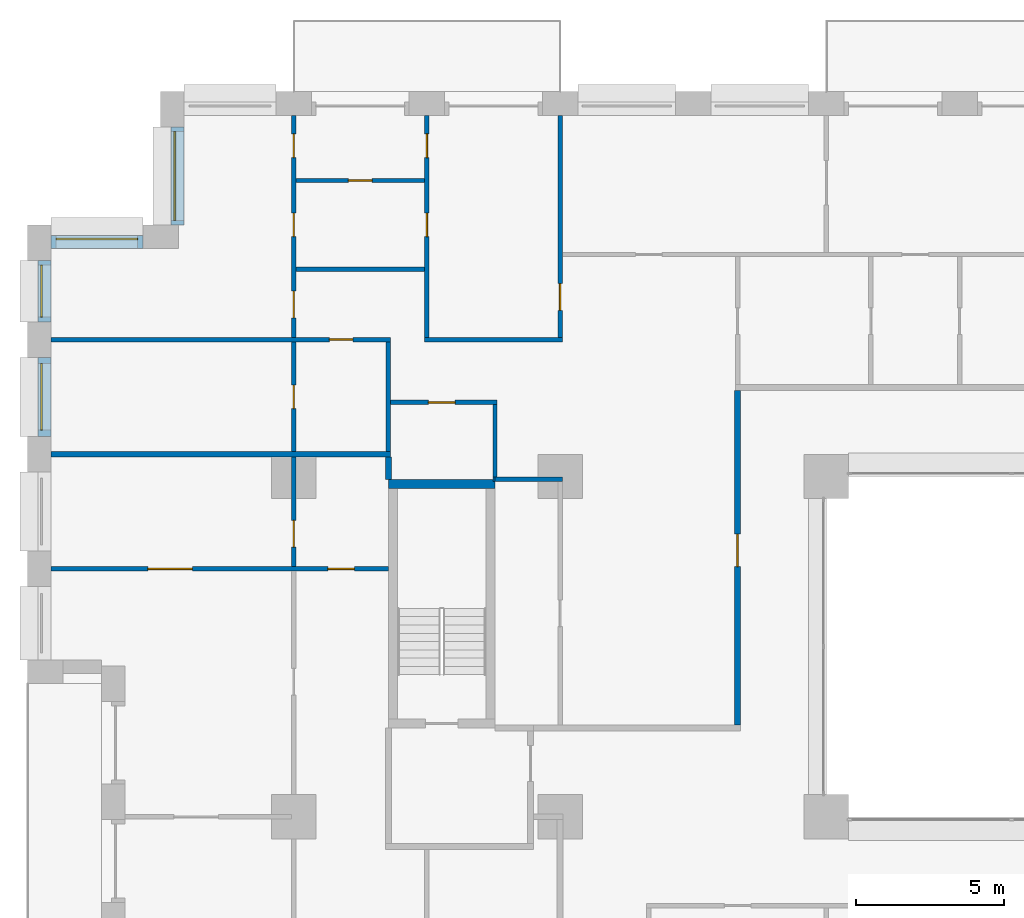
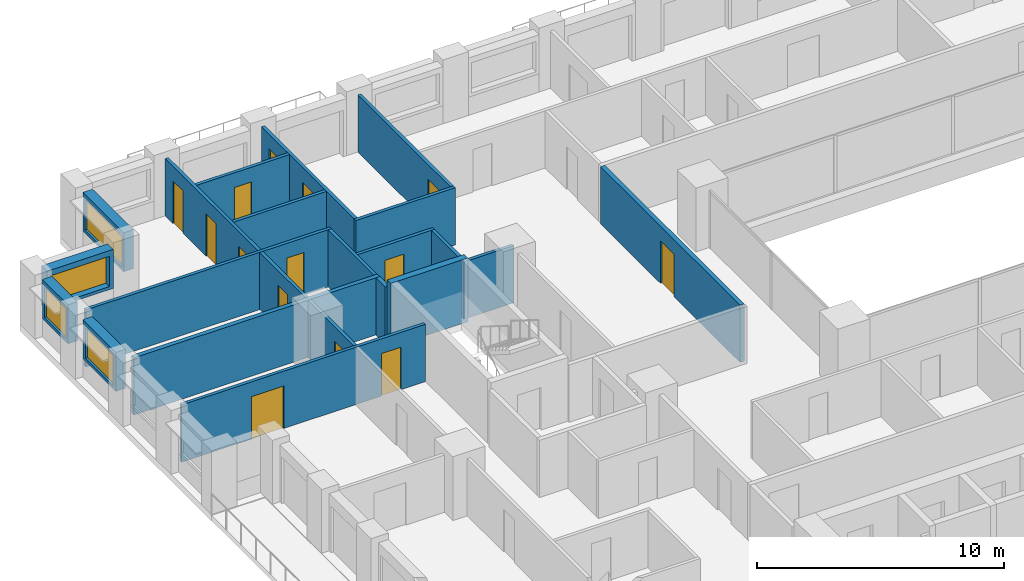
# One storey, part 13 of 20: 23 walls, 14 doors, 4 windows, 18 openings.
"""IFC4 building model written with IfcOpenShell, lengths in metres."""

from ifc_helpers import new_model, si_unit, direction, frame, frame_2d, origin, place, context, subcontext, project, spatial, rectangle, extrude, material, layer, layer_set, type_object, element, fill, save


model = new_model("IFC4")

# Units and contexts
model_context = context("Model", 3, precision=1e-05, world=origin(), true_north=direction((0.0, 1.0)))
body_context = subcontext(model_context, "Body", "Model", "MODEL_VIEW")
ifc_project = project(units=[si_unit("LENGTHUNIT", "METRE"), si_unit("AREAUNIT", "SQUARE_METRE"), si_unit("VOLUMEUNIT", "CUBIC_METRE"), si_unit("PLANEANGLEUNIT", "RADIAN"), si_unit("MASSUNIT", "GRAM", prefix="KILO")], contexts=[model_context])

# Site, building, storey
site_placement = place(None, origin())
site = spatial("IfcSite", under=ifc_project, at=site_placement, CompositionType="ELEMENT")
building_placement = place(site_placement, origin())
building = spatial("IfcBuilding", under=site, at=building_placement, Name="Brigalow Station Residences", CompositionType="ELEMENT")
storey_placement = place(building_placement, frame((0.0, 0.0, 60.449951171875)))
storey = spatial("IfcBuildingStorey", under=building, at=storey_placement, Name="L17", CompositionType="ELEMENT", Elevation=60.449951171875)

# Wall, opening, window
ifc_material_1 = material(Name="Clay brick masonry", Category="masonry")
ifc_layer_1 = layer(ifc_material_1, 0.449951171875)
ifc_layer_set_1 = layer_set([ifc_layer_1], Name="BRICK INFILL WALL 450")
wall_type_1 = type_object("IfcWallType", Name="BRICK INFILL WALL 450", PredefinedType="SOLIDWALL", material=ifc_layer_set_1)
wall_1_placement = place(storey_placement, frame((5.074951171875, 47.300048828125, 0.900146484375), z_axis=(0.0, 0.0, 1.0), x_axis=(0.0, -1.0, 0.0)))
wall_1 = element("IfcWall", 1, at=wall_1_placement, inside=storey, type_object=wall_type_1, Name="L17/ewall/W-L17-40", PredefinedType="SOLIDWALL", context=body_context, shape_type="SweptSolid", body=[
    extrude(rectangle(XDim=3.300048828125, YDim=0.449951171875, at=frame_2d((1.64990234375, 0.0))), origin(), (0.0, 0.0, 1.0), 1.929931640625),
])
opening_1_placement = place(wall_1_placement, frame((0.14990234375, 0.0, 0.14990234375)))
opening_1 = element("IfcOpeningElement", 2, at=opening_1_placement, cuts=wall_1, Name="Opening WT-2", PredefinedType="OPENING", context=body_context, shape_type="SweptSolid", body=[
    extrude(rectangle(XDim=3.0, YDim=1.5, at=frame_2d((1.5, 0.75))), frame((0.0, 0.23486328125, 0.0), z_axis=(0.0, -1.0, 0.0), x_axis=(1.0, 0.0, 0.0)), (0.0, 0.0, 1.0), 0.469970703125),
])
ifc_material_2 = material(Name="Anodised aluminium frame with double glazing", Category="aluminium")
window_type_1 = type_object("IfcWindowType", Name="WINDOW 3000x1500", PartitioningType="SINGLE_PANEL", PredefinedType="WINDOW", material=ifc_material_2)
window_1_placement = place(opening_1_placement, origin())
window_1 = element("IfcWindow", 3, at=window_1_placement, inside=storey, type_object=window_type_1, Name="L17/window/W-L17-40", OverallHeight=1.5, OverallWidth=3.0, PartitioningType="SINGLE_PANEL", PredefinedType="WINDOW", context=body_context, shape_type="SweptSolid", body=[
    extrude(rectangle(XDim=3.0, YDim=1.5, at=frame_2d((1.5, 0.75))), frame((0.0, -0.06494140625, 0.0), z_axis=(0.0, -1.0, 0.0), x_axis=(1.0, 0.0, 0.0)), (0.0, 0.0, 1.0), 0.06005859375),
])
fill(opening_1, window_1)

wall_2_placement = place(storey_placement, frame((3.89990234375, 43.425048828125, 0.900146484375), z_axis=(0.0, 0.0, 1.0), x_axis=(-1.0, 0.0, 0.0)))
wall_2 = element("IfcWall", 4, at=wall_2_placement, inside=storey, type_object=wall_type_1, Name="L17/ewall/W-L17-41", PredefinedType="SOLIDWALL", context=body_context, shape_type="SweptSolid", body=[
    extrude(rectangle(XDim=3.099853515625, YDim=0.449951171875, at=frame_2d((1.5498046875, 0.0))), origin(), (0.0, 0.0, 1.0), 1.929931640625),
])
opening_2_placement = place(wall_2_placement, frame((0.175048828125, 0.0, 0.14990234375)))
opening_2 = element("IfcOpeningElement", 5, at=opening_2_placement, cuts=wall_2, Name="Opening WT-3", PredefinedType="OPENING", context=body_context, shape_type="SweptSolid", body=[
    extrude(rectangle(XDim=2.75, YDim=1.5, at=frame_2d((1.375, 0.75))), frame((0.0, 0.23486328125, 0.0), z_axis=(0.0, -1.0, 0.0), x_axis=(1.0, 0.0, 0.0)), (0.0, 0.0, 1.0), 0.469970703125),
])
ifc_material_3 = material(Name="Anodised aluminium frame with double glazing", Category="aluminium")
window_type_2 = type_object("IfcWindowType", Name="WINDOW 2750x1500", PartitioningType="SINGLE_PANEL", PredefinedType="WINDOW", material=ifc_material_3)
window_2_placement = place(opening_2_placement, origin())
window_2 = element("IfcWindow", 6, at=window_2_placement, inside=storey, type_object=window_type_2, Name="L17/window/W-L17-41", OverallHeight=1.5, OverallWidth=2.75, PartitioningType="SINGLE_PANEL", PredefinedType="WINDOW", context=body_context, shape_type="SweptSolid", body=[
    extrude(rectangle(XDim=2.75, YDim=1.5, at=frame_2d((1.375, 0.75))), frame((0.0, -0.06494140625, 0.0), z_axis=(0.0, -1.0, 0.0), x_axis=(1.0, 0.0, 0.0)), (0.0, 0.0, 1.0), 0.06005859375),
])
fill(opening_2, window_2)

wall_3_placement = place(storey_placement, frame((0.574951171875, 42.800048828125, 0.900146484375), z_axis=(0.0, 0.0, 1.0), x_axis=(0.0, -1.0, 0.0)))
wall_3 = element("IfcWall", 7, at=wall_3_placement, inside=storey, type_object=wall_type_1, Name="L17/ewall/W-L17-42", PredefinedType="SOLIDWALL", context=body_context, shape_type="SweptSolid", body=[
    extrude(rectangle(XDim=2.074951171875, YDim=0.449951171875, at=frame_2d((1.03759765625, 0.0))), origin(), (0.0, 0.0, 1.0), 1.929931640625),
])
opening_3_placement = place(wall_3_placement, frame((0.16259765625, 0.0, 0.14990234375)))
opening_3 = element("IfcOpeningElement", 8, at=opening_3_placement, cuts=wall_3, Name="Opening WT-4", PredefinedType="OPENING", context=body_context, shape_type="SweptSolid", body=[
    extrude(rectangle(XDim=1.75, YDim=1.5, at=frame_2d((0.875, 0.75))), frame((0.0, 0.23486328125, 0.0), z_axis=(0.0, -1.0, 0.0), x_axis=(1.0, 0.0, 0.0)), (0.0, 0.0, 1.0), 0.469970703125),
])
ifc_material_4 = material(Name="Anodised aluminium frame with double glazing", Category="aluminium")
window_type_3 = type_object("IfcWindowType", Name="WINDOW 1750x1500", PartitioningType="SINGLE_PANEL", PredefinedType="WINDOW", material=ifc_material_4)
window_3_placement = place(opening_3_placement, origin())
window_3 = element("IfcWindow", 9, at=window_3_placement, inside=storey, type_object=window_type_3, Name="L17/window/W-L17-42", OverallHeight=1.5, OverallWidth=1.75, PartitioningType="SINGLE_PANEL", PredefinedType="WINDOW", context=body_context, shape_type="SweptSolid", body=[
    extrude(rectangle(XDim=1.75, YDim=1.5, at=frame_2d((0.875, 0.75))), frame((0.0, -0.06494140625, 0.0), z_axis=(0.0, -1.0, 0.0), x_axis=(1.0, 0.0, 0.0)), (0.0, 0.0, 1.0), 0.06005859375),
])
fill(opening_3, window_3)

wall_4_placement = place(storey_placement, frame((0.574951171875, 39.52490234375, 0.900146484375), z_axis=(0.0, 0.0, 1.0), x_axis=(0.0, -1.0, 0.0)))
wall_4 = element("IfcWall", 10, at=wall_4_placement, inside=storey, type_object=wall_type_1, Name="L17/ewall/W-L17-43", PredefinedType="SOLIDWALL", context=body_context, shape_type="SweptSolid", body=[
    extrude(rectangle(XDim=2.6748046875, YDim=0.449951171875, at=frame_2d((1.33740234375, 0.0))), origin(), (0.0, 0.0, 1.0), 1.929931640625),
])
opening_4_placement = place(wall_4_placement, frame((0.21240234375, 0.0, 0.14990234375)))
opening_4 = element("IfcOpeningElement", 11, at=opening_4_placement, cuts=wall_4, Name="Opening WT-6", PredefinedType="OPENING", context=body_context, shape_type="SweptSolid", body=[
    extrude(rectangle(XDim=2.25, YDim=1.5, at=frame_2d((1.125, 0.75))), frame((0.0, 0.23486328125, 0.0), z_axis=(0.0, -1.0, 0.0), x_axis=(1.0, 0.0, 0.0)), (0.0, 0.0, 1.0), 0.469970703125),
])
ifc_material_5 = material(Name="Anodised aluminium frame with double glazing", Category="aluminium")
window_type_4 = type_object("IfcWindowType", Name="WINDOW 2250x1500", PartitioningType="SINGLE_PANEL", PredefinedType="WINDOW", material=ifc_material_5)
window_4_placement = place(opening_4_placement, origin())
window_4 = element("IfcWindow", 12, at=window_4_placement, inside=storey, type_object=window_type_4, Name="L17/window/W-L17-43", OverallHeight=1.5, OverallWidth=2.25, PartitioningType="SINGLE_PANEL", PredefinedType="WINDOW", context=body_context, shape_type="SweptSolid", body=[
    extrude(rectangle(XDim=2.25, YDim=1.5, at=frame_2d((1.125, 0.75))), frame((0.0, -0.06494140625, 0.0), z_axis=(0.0, -1.0, 0.0), x_axis=(1.0, 0.0, 0.0)), (0.0, 0.0, 1.0), 0.06005859375),
])
fill(opening_4, window_4)

# Wall
ifc_material_6 = material(Name="Concrete C80", Category="concrete")
ifc_layer_2 = layer(ifc_material_6, 0.300048828125)
ifc_layer_set_2 = layer_set([ifc_layer_2], Name="CORE SHEAR WALL 300 C80")
wall_type_2 = type_object("IfcWallType", Name="CORE SHEAR WALL 300 C80", PredefinedType="SHEAR", material=ifc_layer_set_2)
wall_5_placement = place(storey_placement, frame((12.199951171875, 35.25, 0.0), z_axis=(0.0, 0.0, 1.0), x_axis=(1.0, 0.0, 0.0)))
element("IfcWall", 13, at=wall_5_placement, inside=storey, type_object=wall_type_2, Name="CORE WALL ST-S1-N L17", PredefinedType="SHEAR", context=body_context, shape_type="SweptSolid", body=[
    extrude(rectangle(XDim=3.60009765625, YDim=0.300048828125, at=frame_2d((1.800048828125, 0.0))), origin(), (0.0, 0.0, 1.0), 3.150146484375),
])

# Wall, openings, doors
ifc_material_7 = material(Name="Plasterboard on steel stud partition", Category="steel")
ifc_layer_3 = layer(ifc_material_7, 0.14990234375)
ifc_layer_set_3 = layer_set([ifc_layer_3], Name="FLAT PARTITION 150")
wall_type_3 = type_object("IfcWallType", Name="FLAT PARTITION 150", PredefinedType="PARTITIONING", material=ifc_layer_set_3)
wall_6_placement = place(storey_placement, frame((0.800048828125, 32.375, 0.0), z_axis=(0.0, 0.0, 1.0), x_axis=(1.0, 0.0, 0.0)))
wall_6 = element("IfcWall", 14, at=wall_6_placement, inside=storey, type_object=wall_type_3, Name="PW-1F18", PredefinedType="PARTITIONING", context=body_context, shape_type="SweptSolid", body=[
    extrude(rectangle(XDim=11.39990234375, YDim=0.14990234375, at=frame_2d((5.699951171875, 0.0))), origin(), (0.0, 0.0, 1.0), 2.830078125),
])
opening_5_placement = place(wall_6_placement, frame((3.27490234375, 0.0, 0.0)))
opening_5 = element("IfcOpeningElement", 15, at=opening_5_placement, cuts=wall_6, Name="Opening D-1F06", PredefinedType="OPENING", context=body_context, shape_type="SweptSolid", body=[
    extrude(rectangle(XDim=1.5, YDim=2.10009765625, at=frame_2d((0.75, 1.050048828125))), frame((0.0, 0.0849609375, 0.0), z_axis=(0.0, -1.0, 0.0), x_axis=(1.0, 0.0, 0.0)), (0.0, 0.0, 1.0), 0.169921875),
])
opening_6_placement = place(wall_6_placement, frame((9.35009765625, 0.0, 0.0)))
opening_6 = element("IfcOpeningElement", 16, at=opening_6_placement, cuts=wall_6, Name="Opening D-1F12", PredefinedType="OPENING", context=body_context, shape_type="SweptSolid", body=[
    extrude(rectangle(XDim=0.89990234375, YDim=2.10009765625, at=frame_2d((0.449951171875, 1.050048828125))), frame((0.0, 0.0849609375, 0.0), z_axis=(0.0, -1.0, 0.0), x_axis=(1.0, 0.0, 0.0)), (0.0, 0.0, 1.0), 0.169921875),
])
ifc_material_8 = material(Name="Solid-core timber door leaf", Category="wood")
door_type_1 = type_object("IfcDoorType", Name="INTERNAL DOOR 900 x 2100", OperationType="SINGLE_SWING_LEFT", PredefinedType="DOOR", material=ifc_material_8)
door_1_placement = place(opening_6_placement, origin())
door_1 = element("IfcDoor", 17, at=door_1_placement, inside=storey, type_object=door_type_1, Name="D-1F12", OperationType="SINGLE_SWING_LEFT", OverallHeight=2.10009765625, OverallWidth=0.89990234375, PredefinedType="DOOR", context=body_context, shape_type="SweptSolid", body=[
    extrude(rectangle(XDim=0.89990234375, YDim=2.10009765625, at=frame_2d((0.449951171875, 1.050048828125))), frame((0.0, 0.02490234375, 0.0), z_axis=(0.0, -1.0, 0.0), x_axis=(1.0, 0.0, 0.0)), (0.0, 0.0, 1.0), 0.050048828125),
])
fill(opening_6, door_1)
ifc_material_9 = material(Name="Solid-core timber door leaf", Category="wood")
door_type_2 = type_object("IfcDoorType", Name="INTERNAL DOUBLE DOOR 1500 x 2100", OperationType="DOUBLE_DOOR_SINGLE_SWING", PredefinedType="DOOR", material=ifc_material_9)
door_2_placement = place(opening_5_placement, origin())
door_2 = element("IfcDoor", 18, at=door_2_placement, inside=storey, type_object=door_type_2, Name="D-1F06", OperationType="DOUBLE_DOOR_SINGLE_SWING", OverallHeight=2.10009765625, OverallWidth=1.5, PredefinedType="DOOR", context=body_context, shape_type="SweptSolid", body=[
    extrude(rectangle(XDim=1.5, YDim=2.10009765625, at=frame_2d((0.75, 1.050048828125))), frame((0.0, 0.02490234375, 0.0), z_axis=(0.0, -1.0, 0.0), x_axis=(1.0, 0.0, 0.0)), (0.0, 0.0, 1.0), 0.050048828125),
])
fill(opening_5, door_2)

# Walls
wall_7_placement = place(storey_placement, frame((15.72509765625, 35.39990234375, 0.0), z_axis=(0.0, 0.0, 1.0), x_axis=(1.0, 0.0, 0.0)))
element("IfcWall", 19, at=wall_7_placement, inside=storey, type_object=wall_type_3, Name="PW-1F24", PredefinedType="PARTITIONING", context=body_context, shape_type="SweptSolid", body=[
    extrude(rectangle(XDim=0.074951171875, YDim=0.14990234375, at=frame_2d((0.03759765625, 0.0))), origin(), (0.0, 0.0, 1.0), 2.830078125),
])
wall_8_placement = place(storey_placement, frame((15.800048828125, 35.39990234375, 0.0), z_axis=(0.0, 0.0, 1.0), x_axis=(1.0, 0.0, 0.0)))
element("IfcWall", 20, at=wall_8_placement, inside=storey, type_object=wall_type_3, Name="PW-1F25", PredefinedType="PARTITIONING", context=body_context, shape_type="SweptSolid", body=[
    extrude(rectangle(XDim=2.27490234375, YDim=0.14990234375, at=frame_2d((1.137451171875, 0.0))), origin(), (0.0, 0.0, 1.0), 2.830078125),
])

# Wall, opening, door
wall_9_placement = place(storey_placement, frame((0.800048828125, 40.125, 0.0), z_axis=(0.0, 0.0, 1.0), x_axis=(1.0, 0.0, 0.0)))
wall_9 = element("IfcWall", 21, at=wall_9_placement, inside=storey, type_object=wall_type_3, Name="PW-1F29", PredefinedType="PARTITIONING", context=body_context, shape_type="SweptSolid", body=[
    extrude(rectangle(XDim=11.474853515625, YDim=0.14990234375, at=frame_2d((5.7373046875, 0.0))), origin(), (0.0, 0.0, 1.0), 2.830078125),
])
opening_7_placement = place(wall_9_placement, frame((9.39990234375, 0.0, 0.0)))
opening_7 = element("IfcOpeningElement", 22, at=opening_7_placement, cuts=wall_9, Name="Opening D-1F33", PredefinedType="OPENING", context=body_context, shape_type="SweptSolid", body=[
    extrude(rectangle(XDim=0.800048828125, YDim=2.10009765625, at=frame_2d((0.39990234375, 1.050048828125))), frame((0.0, 0.0849609375, 0.0), z_axis=(0.0, -1.0, 0.0), x_axis=(1.0, 0.0, 0.0)), (0.0, 0.0, 1.0), 0.169921875),
])
ifc_material_10 = material(Name="Solid-core timber door leaf", Category="wood")
door_type_3 = type_object("IfcDoorType", Name="INTERNAL DOOR 800 x 2100", OperationType="SINGLE_SWING_LEFT", PredefinedType="DOOR", material=ifc_material_10)
door_3_placement = place(opening_7_placement, frame((0.800048828125, 0.0, 0.0), z_axis=(0.0, 0.0, 1.0), x_axis=(-1.0, 0.0, 0.0)))
door_3 = element("IfcDoor", 23, at=door_3_placement, inside=storey, type_object=door_type_3, Name="D-1F33", OperationType="SINGLE_SWING_RIGHT", OverallHeight=2.10009765625, OverallWidth=0.800048828125, PredefinedType="DOOR", context=body_context, shape_type="SweptSolid", body=[
    extrude(rectangle(XDim=0.800048828125, YDim=2.10009765625, at=frame_2d((0.39990234375, 1.050048828125))), frame((0.0, 0.02490234375, 0.0), z_axis=(0.0, -1.0, 0.0), x_axis=(1.0, 0.0, 0.0)), (0.0, 0.0, 1.0), 0.050048828125),
])
fill(opening_7, door_3)

# Wall
wall_10_placement = place(storey_placement, frame((13.425048828125, 40.125, 0.0), z_axis=(0.0, 0.0, 1.0), x_axis=(1.0, 0.0, 0.0)))
element("IfcWall", 24, at=wall_10_placement, inside=storey, type_object=wall_type_3, Name="PW-1F30", PredefinedType="PARTITIONING", context=body_context, shape_type="SweptSolid", body=[
    extrude(rectangle(XDim=4.64990234375, YDim=0.14990234375, at=frame_2d((2.324951171875, 0.0))), origin(), (0.0, 0.0, 1.0), 2.830078125),
])

# Wall, opening, door
wall_11_placement = place(storey_placement, frame((12.27490234375, 38.0, 0.0), z_axis=(0.0, 0.0, 1.0), x_axis=(1.0, 0.0, 0.0)))
wall_11 = element("IfcWall", 25, at=wall_11_placement, inside=storey, type_object=wall_type_3, Name="PW-1F32", PredefinedType="PARTITIONING", context=body_context, shape_type="SweptSolid", body=[
    extrude(rectangle(XDim=3.60009765625, YDim=0.14990234375, at=frame_2d((1.800048828125, 0.0))), origin(), (0.0, 0.0, 1.0), 2.830078125),
])
opening_8_placement = place(wall_11_placement, frame((1.27490234375, 0.0, 0.0)))
opening_8 = element("IfcOpeningElement", 26, at=opening_8_placement, cuts=wall_11, Name="Opening D-1F32", PredefinedType="OPENING", context=body_context, shape_type="SweptSolid", body=[
    extrude(rectangle(XDim=0.89990234375, YDim=2.10009765625, at=frame_2d((0.449951171875, 1.050048828125))), frame((0.0, 0.0849609375, 0.0), z_axis=(0.0, -1.0, 0.0), x_axis=(1.0, 0.0, 0.0)), (0.0, 0.0, 1.0), 0.169921875),
])
door_4_placement = place(opening_8_placement, frame((0.89990234375, 0.0, 0.0), z_axis=(0.0, 0.0, 1.0), x_axis=(-1.0, 0.0, 0.0)))
door_4 = element("IfcDoor", 27, at=door_4_placement, inside=storey, type_object=door_type_1, Name="D-1F32", OperationType="SINGLE_SWING_LEFT", OverallHeight=2.10009765625, OverallWidth=0.89990234375, PredefinedType="DOOR", context=body_context, shape_type="SweptSolid", body=[
    extrude(rectangle(XDim=0.89990234375, YDim=2.10009765625, at=frame_2d((0.449951171875, 1.050048828125))), frame((0.0, 0.02490234375, 0.0), z_axis=(0.0, -1.0, 0.0), x_axis=(1.0, 0.0, 0.0)), (0.0, 0.0, 1.0), 0.050048828125),
])
fill(opening_8, door_4)

# Wall
wall_12_placement = place(storey_placement, frame((9.074951171875, 42.5, 0.0), z_axis=(0.0, 0.0, 1.0), x_axis=(1.0, 0.0, 0.0)))
element("IfcWall", 28, at=wall_12_placement, inside=storey, type_object=wall_type_3, Name="PW-1F33", PredefinedType="PARTITIONING", context=body_context, shape_type="SweptSolid", body=[
    extrude(rectangle(XDim=4.35009765625, YDim=0.14990234375, at=frame_2d((2.175048828125, 0.0))), origin(), (0.0, 0.0, 1.0), 2.830078125),
])

# Wall, opening, door
wall_13_placement = place(storey_placement, frame((9.074951171875, 45.5, 0.0), z_axis=(0.0, 0.0, 1.0), x_axis=(1.0, 0.0, 0.0)))
wall_13 = element("IfcWall", 29, at=wall_13_placement, inside=storey, type_object=wall_type_3, Name="PW-1F34", PredefinedType="PARTITIONING", context=body_context, shape_type="SweptSolid", body=[
    extrude(rectangle(XDim=4.35009765625, YDim=0.14990234375, at=frame_2d((2.175048828125, 0.0))), origin(), (0.0, 0.0, 1.0), 2.830078125),
])
opening_9_placement = place(wall_13_placement, frame((1.77490234375, 0.0, 0.0)))
opening_9 = element("IfcOpeningElement", 30, at=opening_9_placement, cuts=wall_13, Name="Opening D-1F25", PredefinedType="OPENING", context=body_context, shape_type="SweptSolid", body=[
    extrude(rectangle(XDim=0.800048828125, YDim=2.10009765625, at=frame_2d((0.39990234375, 1.050048828125))), frame((0.0, 0.0849609375, 0.0), z_axis=(0.0, -1.0, 0.0), x_axis=(1.0, 0.0, 0.0)), (0.0, 0.0, 1.0), 0.169921875),
])
door_5_placement = place(opening_9_placement, origin())
door_5 = element("IfcDoor", 31, at=door_5_placement, inside=storey, type_object=door_type_3, Name="D-1F25", OperationType="SINGLE_SWING_RIGHT", OverallHeight=2.10009765625, OverallWidth=0.800048828125, PredefinedType="DOOR", context=body_context, shape_type="SweptSolid", body=[
    extrude(rectangle(XDim=0.800048828125, YDim=2.10009765625, at=frame_2d((0.39990234375, 1.050048828125))), frame((0.0, 0.02490234375, 0.0), z_axis=(0.0, -1.0, 0.0), x_axis=(1.0, 0.0, 0.0)), (0.0, 0.0, 1.0), 0.050048828125),
])
fill(opening_9, door_5)

wall_14_placement = place(storey_placement, frame((18.0, 40.199951171875, 0.0), z_axis=(0.0, 0.0, 1.0), x_axis=(0.0, 1.0, 0.0)))
wall_14 = element("IfcWall", 32, at=wall_14_placement, inside=storey, type_object=wall_type_3, Name="PW-1F39", PredefinedType="PARTITIONING", context=body_context, shape_type="SweptSolid", body=[
    extrude(rectangle(XDim=7.5, YDim=0.14990234375, at=frame_2d((3.75, 0.0))), origin(), (0.0, 0.0, 1.0), 2.830078125),
])
opening_10_placement = place(wall_14_placement, frame((0.912109375, 0.0, 0.0)))
opening_10 = element("IfcOpeningElement", 33, at=opening_10_placement, cuts=wall_14, Name="Opening D-1F20", PredefinedType="OPENING", context=body_context, shape_type="SweptSolid", body=[
    extrude(rectangle(XDim=0.89990234375, YDim=2.10009765625, at=frame_2d((0.449951171875, 1.050048828125))), frame((0.0, 0.0849609375, 0.0), z_axis=(0.0, -1.0, 0.0), x_axis=(1.0, 0.0, 0.0)), (0.0, 0.0, 1.0), 0.169921875),
])
door_6_placement = place(opening_10_placement, origin())
door_6 = element("IfcDoor", 34, at=door_6_placement, inside=storey, type_object=door_type_1, Name="D-1F20", OperationType="SINGLE_SWING_LEFT", OverallHeight=2.10009765625, OverallWidth=0.89990234375, PredefinedType="DOOR", context=body_context, shape_type="SweptSolid", body=[
    extrude(rectangle(XDim=0.89990234375, YDim=2.10009765625, at=frame_2d((0.449951171875, 1.050048828125))), frame((0.0, 0.02490234375, 0.0), z_axis=(0.0, -1.0, 0.0), x_axis=(1.0, 0.0, 0.0)), (0.0, 0.0, 1.0), 0.050048828125),
])
fill(opening_10, door_6)

wall_15_placement = place(storey_placement, frame((9.0, 32.449951171875, 0.0), z_axis=(0.0, 0.0, 1.0), x_axis=(0.0, 1.0, 0.0)))
wall_15 = element("IfcWall", 35, at=wall_15_placement, inside=storey, type_object=wall_type_3, Name="PW-1F52", PredefinedType="PARTITIONING", context=body_context, shape_type="SweptSolid", body=[
    extrude(rectangle(XDim=3.699951171875, YDim=0.14990234375, at=frame_2d((1.85009765625, 0.0))), origin(), (0.0, 0.0, 1.0), 2.830078125),
])
opening_11_placement = place(wall_15_placement, frame((0.662109375, 0.0, 0.0)))
opening_11 = element("IfcOpeningElement", 36, at=opening_11_placement, cuts=wall_15, Name="Opening D-1F11", PredefinedType="OPENING", context=body_context, shape_type="SweptSolid", body=[
    extrude(rectangle(XDim=0.89990234375, YDim=2.10009765625, at=frame_2d((0.449951171875, 1.050048828125))), frame((0.0, 0.0849609375, 0.0), z_axis=(0.0, -1.0, 0.0), x_axis=(1.0, 0.0, 0.0)), (0.0, 0.0, 1.0), 0.169921875),
])
door_7_placement = place(opening_11_placement, frame((0.89990234375, 0.0, 0.0), z_axis=(0.0, 0.0, 1.0), x_axis=(-1.0, 0.0, 0.0)))
door_7 = element("IfcDoor", 37, at=door_7_placement, inside=storey, type_object=door_type_1, Name="D-1F11", OperationType="SINGLE_SWING_RIGHT", OverallHeight=2.10009765625, OverallWidth=0.89990234375, PredefinedType="DOOR", context=body_context, shape_type="SweptSolid", body=[
    extrude(rectangle(XDim=0.89990234375, YDim=2.10009765625, at=frame_2d((0.449951171875, 1.050048828125))), frame((0.0, 0.02490234375, 0.0), z_axis=(0.0, -1.0, 0.0), x_axis=(1.0, 0.0, 0.0)), (0.0, 0.0, 1.0), 0.050048828125),
])
fill(opening_11, door_7)

wall_16_placement = place(storey_placement, frame((9.0, 36.35009765625, 0.0), z_axis=(0.0, 0.0, 1.0), x_axis=(0.0, 1.0, 0.0)))
wall_16 = element("IfcWall", 38, at=wall_16_placement, inside=storey, type_object=wall_type_3, Name="PW-1F53", PredefinedType="PARTITIONING", context=body_context, shape_type="SweptSolid", body=[
    extrude(rectangle(XDim=3.699951171875, YDim=0.14990234375, at=frame_2d((1.85009765625, 0.0))), origin(), (0.0, 0.0, 1.0), 2.830078125),
])
opening_12_placement = place(wall_16_placement, frame((1.43798828125, 0.0, 0.0)))
opening_12 = element("IfcOpeningElement", 39, at=opening_12_placement, cuts=wall_16, Name="Opening D-1F21", PredefinedType="OPENING", context=body_context, shape_type="SweptSolid", body=[
    extrude(rectangle(XDim=0.800048828125, YDim=2.10009765625, at=frame_2d((0.39990234375, 1.050048828125))), frame((0.0, 0.0849609375, 0.0), z_axis=(0.0, -1.0, 0.0), x_axis=(1.0, 0.0, 0.0)), (0.0, 0.0, 1.0), 0.169921875),
])
door_8_placement = place(opening_12_placement, frame((0.800048828125, 0.0, 0.0), z_axis=(0.0, 0.0, 1.0), x_axis=(-1.0, 0.0, 0.0)))
door_8 = element("IfcDoor", 40, at=door_8_placement, inside=storey, type_object=door_type_3, Name="D-1F21", OperationType="SINGLE_SWING_RIGHT", OverallHeight=2.10009765625, OverallWidth=0.800048828125, PredefinedType="DOOR", context=body_context, shape_type="SweptSolid", body=[
    extrude(rectangle(XDim=0.800048828125, YDim=2.10009765625, at=frame_2d((0.39990234375, 1.050048828125))), frame((0.0, 0.02490234375, 0.0), z_axis=(0.0, -1.0, 0.0), x_axis=(1.0, 0.0, 0.0)), (0.0, 0.0, 1.0), 0.050048828125),
])
fill(opening_12, door_8)

# Wall, openings, doors
wall_17_placement = place(storey_placement, frame((9.0, 40.199951171875, 0.0), z_axis=(0.0, 0.0, 1.0), x_axis=(0.0, 1.0, 0.0)))
wall_17 = element("IfcWall", 41, at=wall_17_placement, inside=storey, type_object=wall_type_3, Name="PW-1F54", PredefinedType="PARTITIONING", context=body_context, shape_type="SweptSolid", body=[
    extrude(rectangle(XDim=7.5, YDim=0.14990234375, at=frame_2d((3.75, 0.0))), origin(), (0.0, 0.0, 1.0), 2.830078125),
])
opening_13_placement = place(wall_17_placement, frame((6.074951171875, 0.0, 0.0)))
opening_13 = element("IfcOpeningElement", 42, at=opening_13_placement, cuts=wall_17, Name="Opening D-1F26", PredefinedType="OPENING", context=body_context, shape_type="SweptSolid", body=[
    extrude(rectangle(XDim=0.800048828125, YDim=2.10009765625, at=frame_2d((0.39990234375, 1.050048828125))), frame((0.0, 0.0849609375, 0.0), z_axis=(0.0, -1.0, 0.0), x_axis=(1.0, 0.0, 0.0)), (0.0, 0.0, 1.0), 0.169921875),
])
opening_14_placement = place(wall_17_placement, frame((3.39990234375, 0.0, 0.0)))
opening_14 = element("IfcOpeningElement", 43, at=opening_14_placement, cuts=wall_17, Name="Opening D-1F27", PredefinedType="OPENING", context=body_context, shape_type="SweptSolid", body=[
    extrude(rectangle(XDim=0.800048828125, YDim=2.10009765625, at=frame_2d((0.39990234375, 1.050048828125))), frame((0.0, 0.0849609375, 0.0), z_axis=(0.0, -1.0, 0.0), x_axis=(1.0, 0.0, 0.0)), (0.0, 0.0, 1.0), 0.169921875),
])
opening_15_placement = place(wall_17_placement, frame((0.662109375, 0.0, 0.0)))
opening_15 = element("IfcOpeningElement", 44, at=opening_15_placement, cuts=wall_17, Name="Opening D-1F31", PredefinedType="OPENING", context=body_context, shape_type="SweptSolid", body=[
    extrude(rectangle(XDim=0.89990234375, YDim=2.10009765625, at=frame_2d((0.449951171875, 1.050048828125))), frame((0.0, 0.0849609375, 0.0), z_axis=(0.0, -1.0, 0.0), x_axis=(1.0, 0.0, 0.0)), (0.0, 0.0, 1.0), 0.169921875),
])
door_9_placement = place(opening_13_placement, frame((0.800048828125, 0.0, 0.0), z_axis=(0.0, 0.0, 1.0), x_axis=(-1.0, 0.0, 0.0)))
door_9 = element("IfcDoor", 45, at=door_9_placement, inside=storey, type_object=door_type_3, Name="D-1F26", OperationType="SINGLE_SWING_LEFT", OverallHeight=2.10009765625, OverallWidth=0.800048828125, PredefinedType="DOOR", context=body_context, shape_type="SweptSolid", body=[
    extrude(rectangle(XDim=0.800048828125, YDim=2.10009765625, at=frame_2d((0.39990234375, 1.050048828125))), frame((0.0, 0.02490234375, 0.0), z_axis=(0.0, -1.0, 0.0), x_axis=(1.0, 0.0, 0.0)), (0.0, 0.0, 1.0), 0.050048828125),
])
fill(opening_13, door_9)
door_10_placement = place(opening_14_placement, frame((0.800048828125, 0.0, 0.0), z_axis=(0.0, 0.0, 1.0), x_axis=(-1.0, 0.0, 0.0)))
door_10 = element("IfcDoor", 46, at=door_10_placement, inside=storey, type_object=door_type_3, Name="D-1F27", OperationType="SINGLE_SWING_LEFT", OverallHeight=2.10009765625, OverallWidth=0.800048828125, PredefinedType="DOOR", context=body_context, shape_type="SweptSolid", body=[
    extrude(rectangle(XDim=0.800048828125, YDim=2.10009765625, at=frame_2d((0.39990234375, 1.050048828125))), frame((0.0, 0.02490234375, 0.0), z_axis=(0.0, -1.0, 0.0), x_axis=(1.0, 0.0, 0.0)), (0.0, 0.0, 1.0), 0.050048828125),
])
fill(opening_14, door_10)
door_11_placement = place(opening_15_placement, origin())
door_11 = element("IfcDoor", 47, at=door_11_placement, inside=storey, type_object=door_type_1, Name="D-1F31", OperationType="SINGLE_SWING_LEFT", OverallHeight=2.10009765625, OverallWidth=0.89990234375, PredefinedType="DOOR", context=body_context, shape_type="SweptSolid", body=[
    extrude(rectangle(XDim=0.89990234375, YDim=2.10009765625, at=frame_2d((0.449951171875, 1.050048828125))), frame((0.0, 0.02490234375, 0.0), z_axis=(0.0, -1.0, 0.0), x_axis=(1.0, 0.0, 0.0)), (0.0, 0.0, 1.0), 0.050048828125),
])
fill(opening_15, door_11)

wall_18_placement = place(storey_placement, frame((13.5, 40.199951171875, 0.0), z_axis=(0.0, 0.0, 1.0), x_axis=(0.0, 1.0, 0.0)))
wall_18 = element("IfcWall", 48, at=wall_18_placement, inside=storey, type_object=wall_type_3, Name="PW-1F58", PredefinedType="PARTITIONING", context=body_context, shape_type="SweptSolid", body=[
    extrude(rectangle(XDim=7.5, YDim=0.14990234375, at=frame_2d((3.75, 0.0))), origin(), (0.0, 0.0, 1.0), 2.830078125),
])
opening_16_placement = place(wall_18_placement, frame((6.074951171875, 0.0, 0.0)))
opening_16 = element("IfcOpeningElement", 49, at=opening_16_placement, cuts=wall_18, Name="Opening D-1F18", PredefinedType="OPENING", context=body_context, shape_type="SweptSolid", body=[
    extrude(rectangle(XDim=0.800048828125, YDim=2.10009765625, at=frame_2d((0.39990234375, 1.050048828125))), frame((0.0, 0.0849609375, 0.0), z_axis=(0.0, -1.0, 0.0), x_axis=(1.0, 0.0, 0.0)), (0.0, 0.0, 1.0), 0.169921875),
])
opening_17_placement = place(wall_18_placement, frame((3.39990234375, 0.0, 0.0)))
opening_17 = element("IfcOpeningElement", 50, at=opening_17_placement, cuts=wall_18, Name="Opening D-1F19", PredefinedType="OPENING", context=body_context, shape_type="SweptSolid", body=[
    extrude(rectangle(XDim=0.800048828125, YDim=2.10009765625, at=frame_2d((0.39990234375, 1.050048828125))), frame((0.0, 0.0849609375, 0.0), z_axis=(0.0, -1.0, 0.0), x_axis=(1.0, 0.0, 0.0)), (0.0, 0.0, 1.0), 0.169921875),
])
door_12_placement = place(opening_16_placement, origin())
door_12 = element("IfcDoor", 51, at=door_12_placement, inside=storey, type_object=door_type_3, Name="D-1F18", OperationType="SINGLE_SWING_RIGHT", OverallHeight=2.10009765625, OverallWidth=0.800048828125, PredefinedType="DOOR", context=body_context, shape_type="SweptSolid", body=[
    extrude(rectangle(XDim=0.800048828125, YDim=2.10009765625, at=frame_2d((0.39990234375, 1.050048828125))), frame((0.0, 0.02490234375, 0.0), z_axis=(0.0, -1.0, 0.0), x_axis=(1.0, 0.0, 0.0)), (0.0, 0.0, 1.0), 0.050048828125),
])
fill(opening_16, door_12)
door_13_placement = place(opening_17_placement, origin())
door_13 = element("IfcDoor", 52, at=door_13_placement, inside=storey, type_object=door_type_3, Name="D-1F19", OperationType="SINGLE_SWING_RIGHT", OverallHeight=2.10009765625, OverallWidth=0.800048828125, PredefinedType="DOOR", context=body_context, shape_type="SweptSolid", body=[
    extrude(rectangle(XDim=0.800048828125, YDim=2.10009765625, at=frame_2d((0.39990234375, 1.050048828125))), frame((0.0, 0.02490234375, 0.0), z_axis=(0.0, -1.0, 0.0), x_axis=(1.0, 0.0, 0.0)), (0.0, 0.0, 1.0), 0.050048828125),
])
fill(opening_17, door_13)

# Walls
wall_19_placement = place(storey_placement, frame((12.199951171875, 36.35009765625, 0.0), z_axis=(0.0, 0.0, 1.0), x_axis=(0.0, 1.0, 0.0)))
element("IfcWall", 53, at=wall_19_placement, inside=storey, type_object=wall_type_3, Name="PW-1F60", PredefinedType="PARTITIONING", context=body_context, shape_type="SweptSolid", body=[
    extrude(rectangle(XDim=3.699951171875, YDim=0.14990234375, at=frame_2d((1.85009765625, 0.0))), origin(), (0.0, 0.0, 1.0), 2.830078125),
])
wall_20_placement = place(storey_placement, frame((15.800048828125, 35.47509765625, 0.0), z_axis=(0.0, 0.0, 1.0), x_axis=(0.0, 1.0, 0.0)))
element("IfcWall", 54, at=wall_20_placement, inside=storey, type_object=wall_type_3, Name="PW-1F62", PredefinedType="PARTITIONING", context=body_context, shape_type="SweptSolid", body=[
    extrude(rectangle(XDim=2.449951171875, YDim=0.14990234375, at=frame_2d((1.22509765625, 0.0))), origin(), (0.0, 0.0, 1.0), 2.830078125),
])
ifc_material_11 = material(Name="Plasterboard on steel stud partition", Category="steel")
ifc_layer_4 = layer(ifc_material_11, 0.199951171875)
ifc_layer_set_4 = layer_set([ifc_layer_4], Name="PARTY AND CORRIDOR WALL 200")
wall_type_4 = type_object("IfcWallType", Name="PARTY AND CORRIDOR WALL 200", PredefinedType="PARTITIONING", material=ifc_layer_set_4)
wall_21_placement = place(storey_placement, frame((0.800048828125, 36.25, 0.0), z_axis=(0.0, 0.0, 1.0), x_axis=(1.0, 0.0, 0.0)))
element("IfcWall", 55, at=wall_21_placement, inside=storey, type_object=wall_type_4, Name="PW-1F20", PredefinedType="PARTITIONING", context=body_context, shape_type="SweptSolid", body=[
    extrude(rectangle(XDim=11.474853515625, YDim=0.199951171875, at=frame_2d((5.7373046875, 0.0))), origin(), (0.0, 0.0, 1.0), 2.830078125),
])

# Wall, opening, door
wall_22_placement = place(storey_placement, frame((24.0, 27.10009765625, 0.0), z_axis=(0.0, 0.0, 1.0), x_axis=(0.0, 1.0, 0.0)))
wall_22 = element("IfcWall", 56, at=wall_22_placement, inside=storey, type_object=wall_type_4, Name="PW-1F47", PredefinedType="PARTITIONING", context=body_context, shape_type="SweptSolid", body=[
    extrude(rectangle(XDim=11.2998046875, YDim=0.199951171875, at=frame_2d((5.64990234375, 0.0))), origin(), (0.0, 0.0, 1.0), 2.830078125),
])
opening_18_placement = place(wall_22_placement, frame((5.35009765625, 0.0, 0.0)))
opening_18 = element("IfcOpeningElement", 57, at=opening_18_placement, cuts=wall_22, Name="Opening D-1F36", PredefinedType="OPENING", context=body_context, shape_type="SweptSolid", body=[
    extrude(rectangle(XDim=1.10009765625, YDim=2.10009765625, at=frame_2d((0.550048828125, 1.050048828125))), frame((0.0, 0.10986328125, 0.0), z_axis=(0.0, -1.0, 0.0), x_axis=(1.0, 0.0, 0.0)), (0.0, 0.0, 1.0), 0.219970703125),
])
ifc_material_12 = material(Name="Solid-core timber door leaf", Category="wood")
door_type_4 = type_object("IfcDoorType", Name="FLAT ENTRANCE DOOR 1100 x 2100 FRL -/60/30", OperationType="SINGLE_SWING_LEFT", PredefinedType="DOOR", material=ifc_material_12)
door_14_placement = place(opening_18_placement, origin())
door_14 = element("IfcDoor", 58, at=door_14_placement, inside=storey, type_object=door_type_4, Name="D-1F36", OperationType="SINGLE_SWING_LEFT", OverallHeight=2.10009765625, OverallWidth=1.10009765625, PredefinedType="DOOR", context=body_context, shape_type="SweptSolid", body=[
    extrude(rectangle(XDim=1.10009765625, YDim=2.10009765625, at=frame_2d((0.550048828125, 1.050048828125))), frame((0.0, 0.02490234375, 0.0), z_axis=(0.0, -1.0, 0.0), x_axis=(1.0, 0.0, 0.0)), (0.0, 0.0, 1.0), 0.050048828125),
])
fill(opening_18, door_14)

# Wall
wall_23_placement = place(storey_placement, frame((12.199951171875, 35.39990234375, 0.0), z_axis=(0.0, 0.0, 1.0), x_axis=(0.0, 1.0, 0.0)))
element("IfcWall", 59, at=wall_23_placement, inside=storey, type_object=wall_type_4, Name="PW-1F61", PredefinedType="PARTITIONING", context=body_context, shape_type="SweptSolid", body=[
    extrude(rectangle(XDim=0.75, YDim=0.199951171875, at=frame_2d((0.375, 0.0))), origin(), (0.0, 0.0, 1.0), 2.830078125),
])

save(model, "model.ifc")
